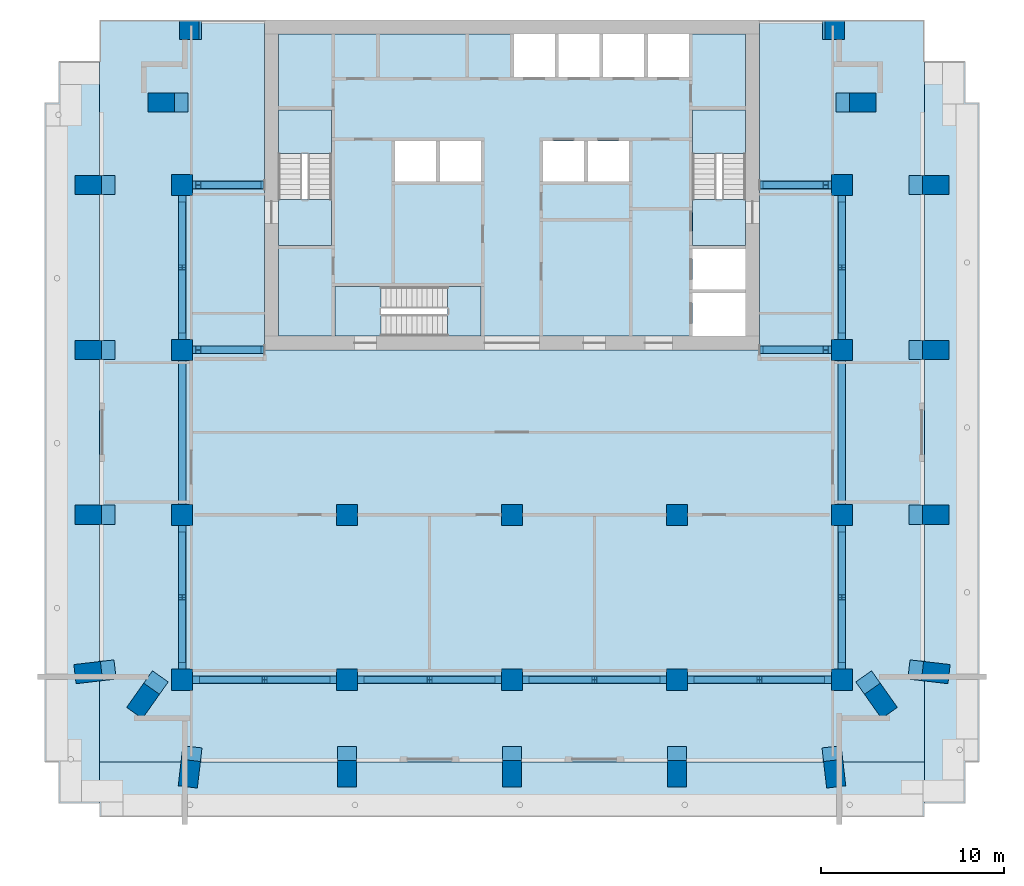
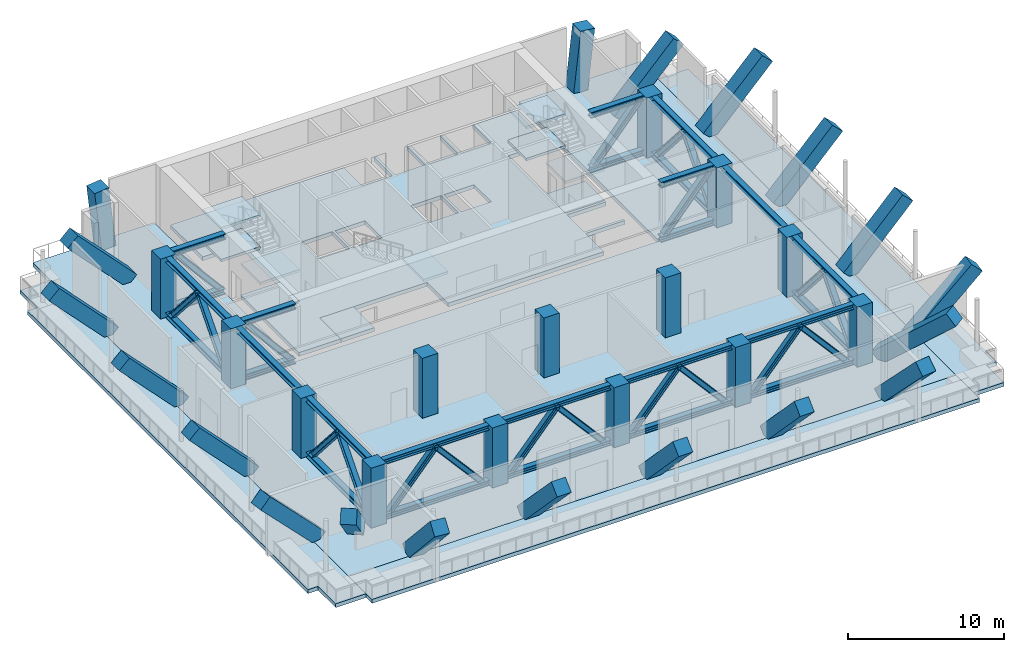
# One storey, part 1 of 9: 46 members, 33 columns, 15 slabs, 3 elements without a shape of their own.
"""IFC4 building model written with IfcOpenShell, lengths in metres."""

from ifc_helpers import new_model, si_unit, direction, frame, origin, origin_2d, place, context, subcontext, project, spatial, polyline, rectangle, i_section, outline, extrude, material, layer, layer_set, material_profile, profile_set, type_object, element, aggregate, save


model = new_model("IFC4")

# Units and contexts
model_context = context("Model", 3, precision=1e-05, world=origin(), true_north=direction((0.0, 1.0)))
body_context = subcontext(model_context, "Body", "Model", "MODEL_VIEW")
ifc_project = project(units=[si_unit("LENGTHUNIT", "METRE"), si_unit("AREAUNIT", "SQUARE_METRE"), si_unit("VOLUMEUNIT", "CUBIC_METRE"), si_unit("PLANEANGLEUNIT", "RADIAN"), si_unit("MASSUNIT", "GRAM", prefix="KILO")], contexts=[model_context])

# Site, building, storey
site_placement = place(None, origin())
site = spatial("IfcSite", under=ifc_project, at=site_placement, CompositionType="ELEMENT")
building_placement = place(site_placement, origin())
building = spatial("IfcBuilding", under=site, at=building_placement, Name="Orbiselva Terraces", CompositionType="ELEMENT")
storey_placement = place(building_placement, frame((0.0, 0.0, 179.4)))
storey = spatial("IfcBuildingStorey", under=building, at=storey_placement, Name="L45", CompositionType="ELEMENT", Elevation=179.4)

# Columns
ifc_material_1 = material(Name="Concrete C60/75", Category="concrete")
ifc_material_profile_1 = material_profile(ifc_material_1, rectangle(XDim=1.15, YDim=1.15, at=origin_2d()), Name="RC 1150x1150")
ifc_profile_set_1 = profile_set([ifc_material_profile_1], Name="Concrete C60/75")
column_type_1 = type_object("IfcColumnType", Name="COLUMN RC 1150x1150", PredefinedType="COLUMN", material=ifc_profile_set_1)
for number, where, z_axis, x_axis, name in (
    (1, (-18.0, -13.5, 0.0), (0.0, 0.0, 1.0), (1.0, 0.0, 0.0), "Column L45-01"),
    (2, (-18.0, -4.5, 0.0), (0.0, 0.0, 1.0), (1.0, 0.0, 0.0), "Column L45-03"),
    (3, (-18.0, 13.5, 0.0), (0.0, 0.0, 1.0), (1.0, 0.0, 0.0), "Column L45-04"),
    (4, (-18.0, 4.5, 0.0), (0.0, 0.0, 1.0), (1.0, 0.0, 0.0), "Column L45-06"),
    (5, (-9.0, -13.5, 0.0), (0.0, 0.0, 1.0), (1.0, 0.0, 0.0), "Column L45-13"),
    (6, (-9.0, -4.5, 0.0), (0.0, 0.0, 1.0), (1.0, 0.0, 0.0), "Column L45-15"),
    (7, (0.0, -13.5, 0.0), (0.0, 0.0, 1.0), (1.0, 0.0, 0.0), "Column L45-16"),
    (8, (0.0, -4.5, 0.0), (0.0, 0.0, 1.0), (1.0, 0.0, 0.0), "Column L45-18"),
    (9, (18.0, -13.5, 0.0), (0.0, 0.0, 1.0), (1.0, 0.0, 0.0), "Column L45-19"),
    (10, (18.0, -4.5, 0.0), (0.0, 0.0, 1.0), (1.0, 0.0, 0.0), "Column L45-21"),
    (11, (18.0, 13.5, 0.0), (0.0, 0.0, 1.0), (1.0, 0.0, 0.0), "Column L45-22"),
    (12, (18.0, 4.5, 0.0), (0.0, 0.0, 1.0), (1.0, 0.0, 0.0), "Column L45-24"),
    (13, (9.0, -13.5, 0.0), (0.0, 0.0, 1.0), (1.0, 0.0, 0.0), "Column L45-31"),
    (14, (9.0, -4.5, 0.0), (0.0, 0.0, 1.0), (1.0, 0.0, 0.0), "Column L45-33"),
):
    element("IfcColumn", number, at=place(storey_placement, frame(where, z_axis=z_axis, x_axis=x_axis)), inside=storey, type_object=column_type_1, Name=name, PredefinedType="COLUMN", context=body_context, shape_type="SweptSolid", body=[
        extrude(rectangle(XDim=1.15, YDim=1.15, at=origin_2d()), origin(), (0.0, 0.0, 1.0), 4.7),
    ])
ifc_material_2 = material(Name="Concrete C50/60", Category="concrete")
ifc_material_profile_2 = material_profile(ifc_material_2, rectangle(XDim=1.05, YDim=1.05, at=origin_2d()), Name="RC 1050x1050")
ifc_profile_set_2 = profile_set([ifc_material_profile_2], Name="Concrete C50/60")
column_type_2 = type_object("IfcColumnType", Name="INCLINED COLUMN RC 1050x1050", PredefinedType="COLUMN", material=ifc_profile_set_2)
column_1_placement = place(storey_placement, frame((-17.482188, -17.536615, 0.064354), z_axis=(-0.080422141092, -0.689331512947, 0.71996829408), x_axis=(0.99326311732, -0.115880886137, 0.0)))
element("IfcColumn", 15, at=column_1_placement, inside=storey, type_object=column_type_2, Name="Inclined column L45-02", PredefinedType="COLUMN", context=body_context, shape_type="SweptSolid", body=[
    extrude(rectangle(XDim=1.05, YDim=1.05, at=origin_2d()), origin(), (0.0, 0.0, 1.0), 6.349296),
])
column_2_placement = place(storey_placement, frame((-17.475, 21.975, 0.0), z_axis=(-0.111011707821, 0.0, 0.993819098592), x_axis=(0.0, -1.0, 0.0)))
element("IfcColumn", 16, at=column_2_placement, inside=storey, type_object=column_type_2, Name="Inclined column L45-05", PredefinedType="COLUMN", context=body_context, shape_type="SweptSolid", body=[
    extrude(rectangle(XDim=1.05, YDim=1.05, at=origin_2d()), origin(), (0.0, 0.0, 1.0), 4.729231),
])
column_3_placement = place(storey_placement, frame((-22.036615, -12.982188, 0.064354), z_axis=(-0.689331512947, -0.080422141092, 0.71996829408), x_axis=(0.115880886137, -0.99326311732, 0.0)))
element("IfcColumn", 17, at=column_3_placement, inside=storey, type_object=column_type_2, Name="Inclined column L45-07", PredefinedType="COLUMN", context=body_context, shape_type="SweptSolid", body=[
    extrude(rectangle(XDim=1.05, YDim=1.05, at=origin_2d()), origin(), (0.0, 0.0, 1.0), 6.349296),
])
column_4_placement = place(storey_placement, frame((-19.387276, -13.595202, 0.099434), z_axis=(-0.439080875191, -0.621340828476, 0.648955745726), x_axis=(0.816665966781, -0.577110646845, 0.0)))
element("IfcColumn", 18, at=column_4_placement, inside=storey, type_object=column_type_2, Name="Inclined column L45-08", PredefinedType="COLUMN", context=body_context, shape_type="SweptSolid", body=[
    extrude(rectangle(XDim=1.05, YDim=1.05, at=origin_2d()), origin(), (0.0, 0.0, 1.0), 6.935961),
])
for number, where, z_axis, x_axis, name in (
    (19, (-22.035391, -4.5, 0.063075), (-0.691571492114, 0.0, 0.722308016912), (0.0, -1.0, 0.0), "Inclined column L45-09"),
    (20, (-22.035391, 13.5, 0.063075), (-0.691571492114, 0.0, 0.722308016912), (0.0, -1.0, 0.0), "Inclined column L45-10"),
    (21, (-18.060391, 18.0, 0.063075), (-0.691571492114, 0.0, 0.722308016912), (0.0, -1.0, 0.0), "Inclined column L45-11"),
    (22, (-22.035391, 4.5, 0.063075), (-0.691571492114, 0.0, 0.722308016912), (0.0, -1.0, 0.0), "Inclined column L45-12"),
    (23, (-9.0, -17.535391, 0.063075), (0.0, -0.691571492114, 0.722308016912), (1.0, 0.0, 0.0), "Inclined column L45-14"),
    (24, (0.0, -17.535391, 0.063075), (0.0, -0.691571492114, 0.722308016912), (1.0, 0.0, 0.0), "Inclined column L45-17"),
):
    element("IfcColumn", number, at=place(storey_placement, frame(where, z_axis=z_axis, x_axis=x_axis)), inside=storey, type_object=column_type_2, Name=name, PredefinedType="COLUMN", context=body_context, shape_type="SweptSolid", body=[
        extrude(rectangle(XDim=1.05, YDim=1.05, at=origin_2d()), origin(), (0.0, 0.0, 1.0), 6.332271),
    ])
column_5_placement = place(storey_placement, frame((17.482188, -17.536615, 0.064354), z_axis=(0.080422141092, -0.689331512947, 0.71996829408), x_axis=(0.99326311732, 0.115880886137, 0.0)))
element("IfcColumn", 25, at=column_5_placement, inside=storey, type_object=column_type_2, Name="Inclined column L45-20", PredefinedType="COLUMN", context=body_context, shape_type="SweptSolid", body=[
    extrude(rectangle(XDim=1.05, YDim=1.05, at=origin_2d()), origin(), (0.0, 0.0, 1.0), 6.349296),
])
column_6_placement = place(storey_placement, frame((17.475, 21.975, 0.0), z_axis=(0.111011707821, 0.0, 0.993819098592), x_axis=(0.0, 1.0, 0.0)))
element("IfcColumn", 26, at=column_6_placement, inside=storey, type_object=column_type_2, Name="Inclined column L45-23", PredefinedType="COLUMN", context=body_context, shape_type="SweptSolid", body=[
    extrude(rectangle(XDim=1.05, YDim=1.05, at=origin_2d()), origin(), (0.0, 0.0, 1.0), 4.729231),
])
column_7_placement = place(storey_placement, frame((22.036615, -12.982188, 0.064354), z_axis=(0.689331512947, -0.080422141092, 0.71996829408), x_axis=(0.115880886137, 0.99326311732, 0.0)))
element("IfcColumn", 27, at=column_7_placement, inside=storey, type_object=column_type_2, Name="Inclined column L45-25", PredefinedType="COLUMN", context=body_context, shape_type="SweptSolid", body=[
    extrude(rectangle(XDim=1.05, YDim=1.05, at=origin_2d()), origin(), (0.0, 0.0, 1.0), 6.349296),
])
column_8_placement = place(storey_placement, frame((19.387276, -13.595202, 0.099434), z_axis=(0.439080875191, -0.621340828476, 0.648955745726), x_axis=(0.816665966781, 0.577110646845, 0.0)))
element("IfcColumn", 28, at=column_8_placement, inside=storey, type_object=column_type_2, Name="Inclined column L45-26", PredefinedType="COLUMN", context=body_context, shape_type="SweptSolid", body=[
    extrude(rectangle(XDim=1.05, YDim=1.05, at=origin_2d()), origin(), (0.0, 0.0, 1.0), 6.935961),
])
for number, where, z_axis, x_axis, name in (
    (29, (22.035391, -4.5, 0.063075), (0.691571492114, 0.0, 0.722308016912), (0.0, 1.0, 0.0), "Inclined column L45-27"),
    (30, (22.035391, 13.5, 0.063075), (0.691571492114, 0.0, 0.722308016912), (0.0, 1.0, 0.0), "Inclined column L45-28"),
    (31, (18.060391, 18.0, 0.063075), (0.691571492114, 0.0, 0.722308016912), (0.0, 1.0, 0.0), "Inclined column L45-29"),
    (32, (22.035391, 4.5, 0.063075), (0.691571492114, 0.0, 0.722308016912), (0.0, 1.0, 0.0), "Inclined column L45-30"),
    (33, (9.0, -17.535391, 0.063075), (0.0, -0.691571492114, 0.722308016912), (1.0, 0.0, 0.0), "Inclined column L45-32"),
):
    element("IfcColumn", number, at=place(storey_placement, frame(where, z_axis=z_axis, x_axis=x_axis)), inside=storey, type_object=column_type_2, Name=name, PredefinedType="COLUMN", context=body_context, shape_type="SweptSolid", body=[
        extrude(rectangle(XDim=1.05, YDim=1.05, at=origin_2d()), origin(), (0.0, 0.0, 1.0), 6.332271),
    ])

# Members
ifc_material_3 = material(Name="Steel ASTM A992 Grade 50", Category="steel")
ifc_material_profile_3 = material_profile(ifc_material_3, i_section(OverallWidth=0.399, OverallDepth=0.386, WebThickness=0.0211, FlangeThickness=0.0333, FilletRadius=0.0152, at=origin_2d()), Name="W360X262")
ifc_profile_set_3 = profile_set([ifc_material_profile_3], Name="Steel ASTM A992 Grade 50")
member_type_1 = type_object("IfcMemberType", Name="BELT TRUSS CHORD W360X262", PredefinedType="CHORD", material=ifc_profile_set_3)
for number, where, z_axis, x_axis, name in (
    (34, (-17.425, -13.5, 0.193), (1.0, 0.0, 0.0), (0.0, 1.0, 0.0), "Belt truss L45 south span 1 bottom chord"),
    (35, (-17.425, -13.5, 4.507), (1.0, 0.0, 0.0), (0.0, 1.0, 0.0), "Belt truss L45 south span 1 top chord"),
    (36, (-8.425, -13.5, 0.193), (1.0, 0.0, 0.0), (0.0, 1.0, 0.0), "Belt truss L45 south span 2 bottom chord"),
    (37, (-8.425, -13.5, 4.507), (1.0, 0.0, 0.0), (0.0, 1.0, 0.0), "Belt truss L45 south span 2 top chord"),
    (38, (0.575, -13.5, 0.193), (1.0, 0.0, 0.0), (0.0, 1.0, 0.0), "Belt truss L45 south span 3 bottom chord"),
    (39, (0.575, -13.5, 4.507), (1.0, 0.0, 0.0), (0.0, 1.0, 0.0), "Belt truss L45 south span 3 top chord"),
    (40, (9.575, -13.5, 0.193), (1.0, 0.0, 0.0), (0.0, 1.0, 0.0), "Belt truss L45 south span 4 bottom chord"),
    (41, (9.575, -13.5, 4.507), (1.0, 0.0, 0.0), (0.0, 1.0, 0.0), "Belt truss L45 south span 4 top chord"),
    (42, (-18.0, -12.925, 0.193), (0.0, 1.0, 0.0), (-1.0, 0.0, 0.0), "Belt truss L45 west span 1 bottom chord"),
    (43, (-18.0, -12.925, 4.507), (0.0, 1.0, 0.0), (-1.0, 0.0, 0.0), "Belt truss L45 west span 1 top chord"),
    (44, (-18.0, -3.925, 4.507), (0.0, 1.0, 0.0), (-1.0, 0.0, 0.0), "Belt truss L45 west span 2 top chord"),
    (45, (-18.0, 5.075, 0.193), (0.0, 1.0, 0.0), (-1.0, 0.0, 0.0), "Belt truss L45 west span 3 bottom chord"),
    (46, (-18.0, 5.075, 4.507), (0.0, 1.0, 0.0), (-1.0, 0.0, 0.0), "Belt truss L45 west span 3 top chord"),
    (47, (18.0, -12.925, 0.193), (0.0, 1.0, 0.0), (-1.0, 0.0, 0.0), "Belt truss L45 east span 1 bottom chord"),
    (48, (18.0, -12.925, 4.507), (0.0, 1.0, 0.0), (-1.0, 0.0, 0.0), "Belt truss L45 east span 1 top chord"),
    (49, (18.0, -3.925, 4.507), (0.0, 1.0, 0.0), (-1.0, 0.0, 0.0), "Belt truss L45 east span 2 top chord"),
    (50, (18.0, 5.075, 0.193), (0.0, 1.0, 0.0), (-1.0, 0.0, 0.0), "Belt truss L45 east span 3 bottom chord"),
    (51, (18.0, 5.075, 4.507), (0.0, 1.0, 0.0), (-1.0, 0.0, 0.0), "Belt truss L45 east span 3 top chord"),
):
    element("IfcMember", number, at=place(storey_placement, frame(where, z_axis=z_axis, x_axis=x_axis)), inside=storey, type_object=member_type_1, Name=name, PredefinedType="CHORD", context=body_context, shape_type="SweptSolid", body=[
        extrude(i_section(OverallWidth=0.399, OverallDepth=0.386, WebThickness=0.0211, FlangeThickness=0.0333, FilletRadius=0.0152, at=origin_2d()), origin(), (0.0, 0.0, 1.0), 7.85),
    ])
ifc_material_profile_4 = material_profile(ifc_material_3, i_section(OverallWidth=0.373, OverallDepth=0.373, WebThickness=0.0164, FlangeThickness=0.0262, FilletRadius=0.0152, at=origin_2d()), Name="W360X196")
ifc_profile_set_4 = profile_set([ifc_material_profile_4], Name="Steel ASTM A992 Grade 50")
member_type_2 = type_object("IfcMemberType", Name="BELT TRUSS DIAGONAL W360X196", PredefinedType="BRACE", material=ifc_profile_set_4)
for number, where, z_axis, x_axis, name in (
    (52, (-16.925, -13.5, 0.386), (0.657199493562, 0.0, 0.753716674661), (0.0, 1.0, 0.0), "Belt truss L45 south span 1 diagonal 1"),
    (53, (-13.5, -13.5, 4.314), (0.657199493562, 0.0, -0.753716674661), (0.0, 1.0, 0.0), "Belt truss L45 south span 1 diagonal 2"),
    (54, (-7.925, -13.5, 0.386), (0.657199493562, 0.0, 0.753716674661), (0.0, 1.0, 0.0), "Belt truss L45 south span 2 diagonal 1"),
    (55, (-4.5, -13.5, 4.314), (0.657199493562, 0.0, -0.753716674661), (0.0, 1.0, 0.0), "Belt truss L45 south span 2 diagonal 2"),
    (56, (1.075, -13.5, 0.386), (0.657199493562, 0.0, 0.753716674661), (0.0, 1.0, 0.0), "Belt truss L45 south span 3 diagonal 1"),
    (57, (4.5, -13.5, 4.314), (0.657199493562, 0.0, -0.753716674661), (0.0, 1.0, 0.0), "Belt truss L45 south span 3 diagonal 2"),
    (58, (10.075, -13.5, 0.386), (0.657199493562, 0.0, 0.753716674661), (0.0, 1.0, 0.0), "Belt truss L45 south span 4 diagonal 1"),
    (59, (13.5, -13.5, 4.314), (0.657199493562, 0.0, -0.753716674661), (0.0, 1.0, 0.0), "Belt truss L45 south span 4 diagonal 2"),
    (60, (-18.0, -12.425, 0.386), (0.0, 0.657199493562, 0.753716674661), (-1.0, 0.0, 0.0), "Belt truss L45 west span 1 diagonal 1"),
    (61, (-18.0, -9.0, 4.314), (0.0, 0.657199493562, -0.753716674661), (-1.0, 0.0, 0.0), "Belt truss L45 west span 1 diagonal 2"),
    (62, (-18.0, 5.575, 0.386), (0.0, 0.657199493562, 0.753716674661), (-1.0, 0.0, 0.0), "Belt truss L45 west span 3 diagonal 1"),
    (63, (-18.0, 9.0, 4.314), (0.0, 0.657199493562, -0.753716674661), (-1.0, 0.0, 0.0), "Belt truss L45 west span 3 diagonal 2"),
    (64, (18.0, -12.425, 0.386), (0.0, 0.657199493562, 0.753716674661), (-1.0, 0.0, 0.0), "Belt truss L45 east span 1 diagonal 1"),
    (65, (18.0, -9.0, 4.314), (0.0, 0.657199493562, -0.753716674661), (-1.0, 0.0, 0.0), "Belt truss L45 east span 1 diagonal 2"),
    (66, (18.0, 5.575, 0.386), (0.0, 0.657199493562, 0.753716674661), (-1.0, 0.0, 0.0), "Belt truss L45 east span 3 diagonal 1"),
    (67, (18.0, 9.0, 4.314), (0.0, 0.657199493562, -0.753716674661), (-1.0, 0.0, 0.0), "Belt truss L45 east span 3 diagonal 2"),
):
    element("IfcMember", number, at=place(storey_placement, frame(where, z_axis=z_axis, x_axis=x_axis)), inside=storey, type_object=member_type_2, Name=name, PredefinedType="BRACE", context=body_context, shape_type="SweptSolid", body=[
        extrude(i_section(OverallWidth=0.373, OverallDepth=0.373, WebThickness=0.0164, FlangeThickness=0.0262, FilletRadius=0.0152, at=origin_2d()), origin(), (0.0, 0.0, 1.0), 5.211507),
    ])
ifc_material_profile_5 = material_profile(ifc_material_3, i_section(OverallWidth=0.409, OverallDepth=0.424, WebThickness=0.0328, FlangeThickness=0.0526, FilletRadius=0.0152, at=origin_2d()), Name="W360X421")
ifc_profile_set_5 = profile_set([ifc_material_profile_5], Name="Steel ASTM A992 Grade 50")
member_type_3 = type_object("IfcMemberType", Name="OUTRIGGER CHORD W360X421", PredefinedType="CHORD", material=ifc_profile_set_5)
for number, where, z_axis, x_axis, name in (
    (68, (-13.53, 4.5, 0.212), (-1.0, 0.0, 0.0), (0.0, -1.0, 0.0), "Outrigger truss L45 west grid E bottom chord"),
    (69, (-13.53, 13.5, 0.212), (-1.0, 0.0, 0.0), (0.0, -1.0, 0.0), "Outrigger truss L45 west grid F bottom chord"),
    (70, (13.53, 4.5, 0.212), (1.0, 0.0, 0.0), (0.0, 1.0, 0.0), "Outrigger truss L45 east grid E bottom chord"),
    (71, (13.53, 13.5, 0.212), (1.0, 0.0, 0.0), (0.0, 1.0, 0.0), "Outrigger truss L45 east grid F bottom chord"),
):
    element("IfcMember", number, at=place(storey_placement, frame(where, z_axis=z_axis, x_axis=x_axis)), inside=storey, type_object=member_type_3, Name=name, PredefinedType="CHORD", context=body_context, shape_type="SweptSolid", body=[
        extrude(i_section(OverallWidth=0.409, OverallDepth=0.424, WebThickness=0.0328, FlangeThickness=0.0526, FilletRadius=0.0152, at=origin_2d()), origin(), (0.0, 0.0, 1.0), 3.895),
    ])
ifc_material_profile_6 = material_profile(ifc_material_3, i_section(OverallWidth=0.411, OverallDepth=0.434, WebThickness=0.0358, FlangeThickness=0.0574, FilletRadius=0.0152, at=origin_2d()), Name="W360X463")
ifc_profile_set_6 = profile_set([ifc_material_profile_6], Name="Steel ASTM A992 Grade 50")
member_type_4 = type_object("IfcMemberType", Name="OUTRIGGER CHORD W360X463", PredefinedType="CHORD", material=ifc_profile_set_6)
for number, where, z_axis, x_axis, name in (
    (72, (-13.53, 4.5, 4.483), (-1.0, 0.0, 0.0), (0.0, -1.0, 0.0), "Outrigger truss L45 west grid E top chord"),
    (73, (-13.53, 13.5, 4.483), (-1.0, 0.0, 0.0), (0.0, -1.0, 0.0), "Outrigger truss L45 west grid F top chord"),
    (74, (13.53, 4.5, 4.483), (1.0, 0.0, 0.0), (0.0, 1.0, 0.0), "Outrigger truss L45 east grid E top chord"),
    (75, (13.53, 13.5, 4.483), (1.0, 0.0, 0.0), (0.0, 1.0, 0.0), "Outrigger truss L45 east grid F top chord"),
):
    element("IfcMember", number, at=place(storey_placement, frame(where, z_axis=z_axis, x_axis=x_axis)), inside=storey, type_object=member_type_4, Name=name, PredefinedType="CHORD", context=body_context, shape_type="SweptSolid", body=[
        extrude(i_section(OverallWidth=0.411, OverallDepth=0.434, WebThickness=0.0358, FlangeThickness=0.0574, FilletRadius=0.0152, at=origin_2d()), origin(), (0.0, 0.0, 1.0), 3.895),
    ])
ifc_material_profile_7 = material_profile(ifc_material_3, i_section(OverallWidth=0.404, OverallDepth=0.406, WebThickness=0.0272, FlangeThickness=0.0437, FilletRadius=0.0152, at=origin_2d()), Name="W360X347")
ifc_profile_set_7 = profile_set([ifc_material_profile_7], Name="Steel ASTM A992 Grade 50")
member_type_5 = type_object("IfcMemberType", Name="OUTRIGGER DIAGONAL W360X347", PredefinedType="BRACE", material=ifc_profile_set_7)
for number, where, z_axis, x_axis, name in (
    (76, (-13.8416, 4.5, 0.424), (-0.648349912998, 0.0, 0.761342492126), (0.0, -1.0, 0.0), "Outrigger truss L45 west grid E diagonal 1"),
    (77, (-13.8416, 13.5, 0.424), (-0.648349912998, 0.0, 0.761342492126), (0.0, -1.0, 0.0), "Outrigger truss L45 west grid F diagonal 1"),
    (78, (13.8416, 4.5, 0.424), (0.648349912998, 0.0, 0.761342492126), (0.0, 1.0, 0.0), "Outrigger truss L45 east grid E diagonal 1"),
    (79, (13.8416, 13.5, 0.424), (0.648349912998, 0.0, 0.761342492126), (0.0, 1.0, 0.0), "Outrigger truss L45 east grid F diagonal 1"),
):
    element("IfcMember", number, at=place(storey_placement, frame(where, z_axis=z_axis, x_axis=x_axis)), inside=storey, type_object=member_type_5, Name=name, PredefinedType="BRACE", context=body_context, shape_type="SweptSolid", body=[
        extrude(i_section(OverallWidth=0.404, OverallDepth=0.406, WebThickness=0.0272, FlangeThickness=0.0437, FilletRadius=0.0152, at=origin_2d()), origin(), (0.0, 0.0, 1.0), 5.046349),
    ])

# Slabs
ifc_material_4 = material(Name="Concrete C40/50", Category="concrete")
ifc_layer_1 = layer(ifc_material_4, 0.3)
ifc_layer_set_1 = layer_set([ifc_layer_1], Name="Concrete C40/50")
slab_type_1 = type_object("IfcSlabType", Name="CORE-SLAB-FLOOR-300", PredefinedType="FLOOR", material=ifc_layer_set_1)
slab_1_placement = place(storey_placement, frame((0.0, 0.0, -0.3)))
element("IfcSlab", 80, at=slab_1_placement, inside=storey, type_object=slab_type_1, Name="L45 S1 floor landing", PredefinedType="FLOOR", context=body_context, shape_type="SweptSolid", body=[
    extrude(outline(polyline([(-12.75, 12.7), (-9.85, 12.7), (-9.85, 10.2), (-12.75, 10.2), (-12.75, 12.7)])), origin(), (0.0, 0.0, 1.0), 0.3),
])
slab_2_placement = place(storey_placement, frame((0.0, 0.0, -0.3)))
element("IfcSlab", 81, at=slab_2_placement, inside=storey, type_object=slab_type_1, Name="L45 S2 floor landing", PredefinedType="FLOOR", context=body_context, shape_type="SweptSolid", body=[
    extrude(outline(polyline([(12.75, 12.7), (12.75, 10.2), (9.85, 10.2), (9.85, 12.7), (12.75, 12.7)])), origin(), (0.0, 0.0, 1.0), 0.3),
])
slab_3_placement = place(storey_placement, frame((0.0, 0.0, -0.3)))
element("IfcSlab", 82, at=slab_3_placement, inside=storey, type_object=slab_type_1, Name="L45 S3 floor landing", PredefinedType="FLOOR", context=body_context, shape_type="SweptSolid", body=[
    extrude(outline(polyline([(-7.15, 5.25), (-9.65, 5.25), (-9.65, 7.95), (-7.15, 7.95), (-7.15, 5.25)])), origin(), (0.0, 0.0, 1.0), 0.3),
])
slab_4_placement = place(storey_placement, frame((0.0, 0.0, -0.3)))
element("IfcSlab", 83, at=slab_4_placement, inside=storey, type_object=slab_type_1, Name="L45 core floor slab 1", PredefinedType="FLOOR", context=body_context, shape_type="SweptSolid", body=[
    extrude(outline(polyline([(-1.7, 5.25), (-1.7, 7.95), (-9.65, 7.95), (-9.65, 5.25), (-12.75, 5.25), (-12.75, 10.2), (-9.85, 10.2), (-9.85, 17.6), (-12.75, 17.6), (-12.75, 21.75), (0.1, 21.75), (0.1, 19.4), (2.3375, 19.4), (2.3375, 21.75), (2.5375, 21.75), (2.5375, 19.4), (4.775, 19.4), (4.775, 21.75), (4.975, 21.75), (4.975, 19.4), (7.2125, 19.4), (7.2125, 21.75), (7.4125, 21.75), (7.4125, 19.4), (9.65, 19.4), (9.65, 21.75), (12.75, 21.75), (12.75, 17.6), (9.85, 17.6), (9.85, 10.2), (12.75, 10.2), (12.75, 10.0), (9.85, 10.0), (9.85, 7.8), (12.75, 7.8), (12.75, 7.6), (9.85, 7.6), (9.85, 5.25), (-1.7, 5.25)]), holes=[polyline([(-4.1375, 13.7), (-4.1375, 15.9), (-6.375, 15.9), (-6.375, 13.7), (-4.1375, 13.7)]), polyline([(-1.7, 13.7), (-1.7, 15.9), (-3.9375, 15.9), (-3.9375, 13.7), (-1.7, 13.7)]), polyline([(3.9375, 15.9), (1.7, 15.9), (1.7, 13.7), (3.9375, 13.7), (3.9375, 15.9)]), polyline([(6.375, 13.7), (6.375, 15.9), (4.1375, 15.9), (4.1375, 13.7), (6.375, 13.7)])]), origin(), (0.0, 0.0, 1.0), 0.3),
])

# Stair, slabs
stair_type_1 = type_object("IfcStairType", Name="CORE-STAIR-1300", PredefinedType="HALF_TURN_STAIR", material=ifc_material_4)
stair_1_placement = place(storey_placement, origin())
stair_1 = element("IfcStair", 84, at=stair_1_placement, inside=storey, type_object=stair_type_1, Name="L45 Exit Stair S1", PredefinedType="HALF_TURN_STAIR")
ifc_layer_2 = layer(ifc_material_4, 0.2)
ifc_layer_set_2 = layer_set([ifc_layer_2], Name="Concrete C40/50")
slab_type_2 = type_object("IfcSlabType", Name="CORE-STAIR-LANDING-200", PredefinedType="LANDING", material=ifc_layer_set_2)
slab_5_placement = place(storey_placement, frame((0.0, 0.0, 1.05)))
slab_5 = element("IfcSlab", 85, at=slab_5_placement, type_object=slab_type_2, Name="S1 landing 1", PredefinedType="LANDING", context=body_context, shape_type="SweptSolid", body=[
    extrude(outline(polyline([(-9.85, 15.22), (-9.85, 17.6), (-12.75, 17.6), (-12.75, 15.22), (-9.85, 15.22)])), origin(), (0.0, 0.0, 1.0), 0.2),
])
slab_6_placement = place(storey_placement, frame((0.0, 0.0, 2.3)))
slab_6 = element("IfcSlab", 86, at=slab_6_placement, type_object=slab_type_2, Name="S1 landing 2", PredefinedType="LANDING", context=body_context, shape_type="SweptSolid", body=[
    extrude(outline(polyline([(-9.85, 10.2), (-9.85, 12.7), (-12.75, 12.7), (-12.75, 10.2), (-9.85, 10.2)])), origin(), (0.0, 0.0, 1.0), 0.2),
])
slab_7_placement = place(storey_placement, frame((0.0, 0.0, 3.55)))
slab_7 = element("IfcSlab", 87, at=slab_7_placement, type_object=slab_type_2, Name="S1 landing 3", PredefinedType="LANDING", context=body_context, shape_type="SweptSolid", body=[
    extrude(outline(polyline([(-9.85, 15.22), (-9.85, 17.6), (-12.75, 17.6), (-12.75, 15.22), (-9.85, 15.22)])), origin(), (0.0, 0.0, 1.0), 0.2),
])
aggregate(stair_1, [slab_5, slab_6, slab_7])

stair_2_placement = place(storey_placement, origin())
stair_2 = element("IfcStair", 88, at=stair_2_placement, inside=storey, type_object=stair_type_1, Name="L45 Exit Stair S2", PredefinedType="HALF_TURN_STAIR")
slab_8_placement = place(storey_placement, frame((0.0, 0.0, 1.05)))
slab_8 = element("IfcSlab", 89, at=slab_8_placement, type_object=slab_type_2, Name="S2 landing 1", PredefinedType="LANDING", context=body_context, shape_type="SweptSolid", body=[
    extrude(outline(polyline([(12.75, 15.22), (12.75, 17.6), (9.85, 17.6), (9.85, 15.22), (12.75, 15.22)])), origin(), (0.0, 0.0, 1.0), 0.2),
])
slab_9_placement = place(storey_placement, frame((0.0, 0.0, 2.3)))
slab_9 = element("IfcSlab", 90, at=slab_9_placement, type_object=slab_type_2, Name="S2 landing 2", PredefinedType="LANDING", context=body_context, shape_type="SweptSolid", body=[
    extrude(outline(polyline([(12.75, 10.2), (12.75, 12.7), (9.85, 12.7), (9.85, 10.2), (12.75, 10.2)])), origin(), (0.0, 0.0, 1.0), 0.2),
])
slab_10_placement = place(storey_placement, frame((0.0, 0.0, 3.55)))
slab_10 = element("IfcSlab", 91, at=slab_10_placement, type_object=slab_type_2, Name="S2 landing 3", PredefinedType="LANDING", context=body_context, shape_type="SweptSolid", body=[
    extrude(outline(polyline([(12.75, 15.22), (12.75, 17.6), (9.85, 17.6), (9.85, 15.22), (12.75, 15.22)])), origin(), (0.0, 0.0, 1.0), 0.2),
])
aggregate(stair_2, [slab_8, slab_9, slab_10])

# Stair, slab
stair_type_2 = type_object("IfcStairType", Name="CORE-STAIR-1200", PredefinedType="HALF_TURN_STAIR", material=ifc_material_4)
stair_3_placement = place(storey_placement, origin())
stair_3 = element("IfcStair", 92, at=stair_3_placement, inside=storey, type_object=stair_type_2, Name="L45 Exit Stair S3", PredefinedType="HALF_TURN_STAIR")
slab_11_placement = place(storey_placement, frame((0.0, 0.0, 2.3)))
slab_11 = element("IfcSlab", 93, at=slab_11_placement, type_object=slab_type_2, Name="S3 landing 1", PredefinedType="LANDING", context=body_context, shape_type="SweptSolid", body=[
    extrude(outline(polyline([(-3.51, 5.25), (-1.7, 5.25), (-1.7, 7.95), (-3.51, 7.95), (-3.51, 5.25)])), origin(), (0.0, 0.0, 1.0), 0.2),
])
aggregate(stair_3, [slab_11])

# Slabs
ifc_layer_3 = layer(ifc_material_2, 0.3)
ifc_layer_set_3 = layer_set([ifc_layer_3], Name="Concrete C50/60")
slab_type_3 = type_object("IfcSlabType", Name="FLOOR SLAB 300", PredefinedType="FLOOR", material=ifc_layer_set_3)
slab_12_placement = place(storey_placement, frame((0.0, 0.0, -0.3)))
element("IfcSlab", 94, at=slab_12_placement, inside=storey, type_object=slab_type_3, Name="Floor slab L45", PredefinedType="FLOOR", context=body_context, shape_type="SweptSolid", body=[
    extrude(outline(polyline([(22.5, 22.5), (22.5, -18.0), (-22.5, -18.0), (-22.5, 22.5), (-13.5, 22.5), (-13.5, 4.5), (13.5, 4.5), (13.5, 22.5), (22.5, 22.5)])), origin(), (0.0, 0.0, 1.0), 0.3),
])
ifc_layer_4 = layer(ifc_material_2, 0.3)
ifc_layer_set_4 = layer_set([ifc_layer_4], Name="Concrete C50/60")
slab_type_4 = type_object("IfcSlabType", Name="RING TERRACE SLAB 300", PredefinedType="FLOOR", material=ifc_layer_set_4)
slab_13_placement = place(storey_placement, frame((0.0, 0.0, -0.3)))
element("IfcSlab", 95, at=slab_13_placement, inside=storey, type_object=slab_type_4, Name="Ring terrace slab L45 part 1", PredefinedType="FLOOR", context=body_context, shape_type="SweptSolid", body=[
    extrude(outline(polyline([(-22.5, -20.25), (-22.5, 20.25), (-24.75, 20.25), (-24.75, 18.0), (-25.5, 18.0), (-25.5, -18.0), (-24.75, -18.0), (-24.75, -20.25), (-22.5, -20.25)])), origin(), (0.0, 0.0, 1.0), 0.3),
])
slab_14_placement = place(storey_placement, frame((0.0, 0.0, -0.3)))
element("IfcSlab", 96, at=slab_14_placement, inside=storey, type_object=slab_type_4, Name="Ring terrace slab L45 part 2", PredefinedType="FLOOR", context=body_context, shape_type="SweptSolid", body=[
    extrude(outline(polyline([(24.75, 20.25), (22.5, 20.25), (22.5, -20.25), (24.75, -20.25), (24.75, -18.0), (25.5, -18.0), (25.5, 18.0), (24.75, 18.0), (24.75, 20.25)])), origin(), (0.0, 0.0, 1.0), 0.3),
])
slab_15_placement = place(storey_placement, frame((0.0, 0.0, -0.3)))
element("IfcSlab", 97, at=slab_15_placement, inside=storey, type_object=slab_type_4, Name="Ring terrace slab L45 part 3", PredefinedType="FLOOR", context=body_context, shape_type="SweptSolid", body=[
    extrude(outline(polyline([(22.5, -18.0), (-22.5, -18.0), (-22.5, -21.0), (22.5, -21.0), (22.5, -18.0)])), origin(), (0.0, 0.0, 1.0), 0.3),
])

save(model, "model.ifc")
